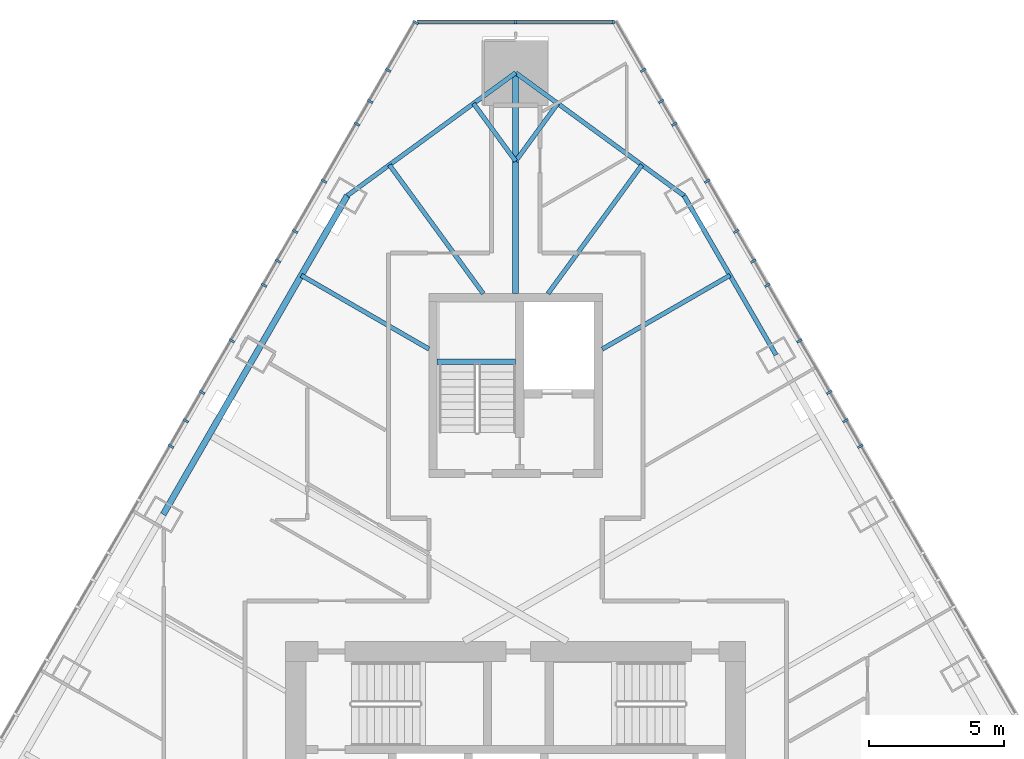
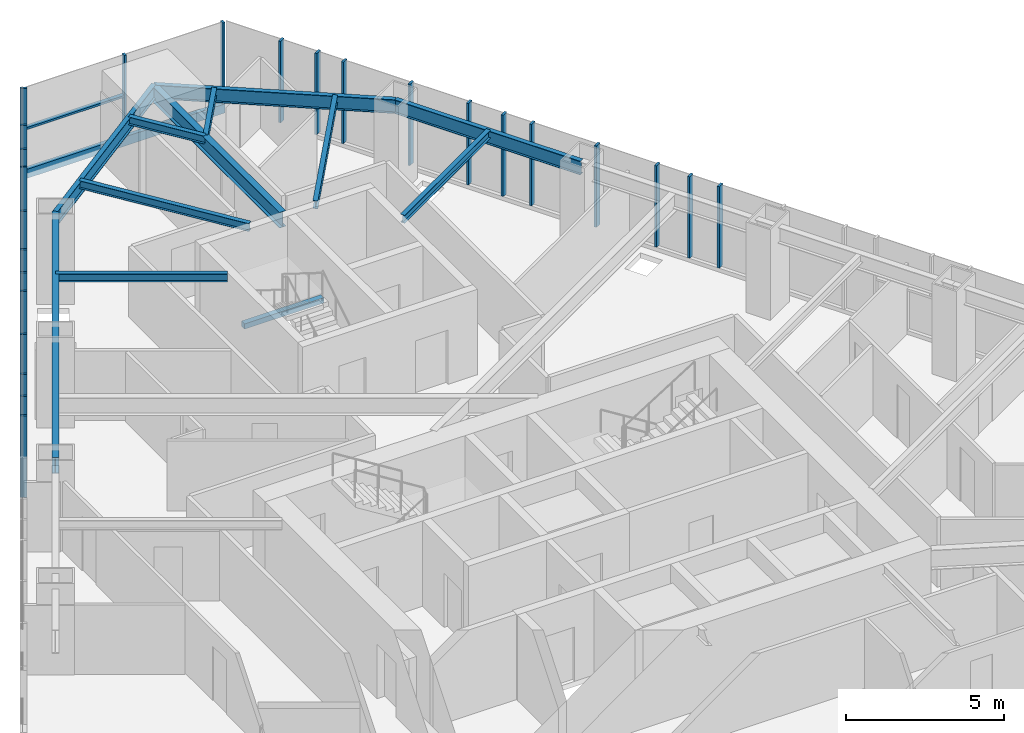
# One storey, part 9 of 19: 27 members, 12 beams, 3 elements without a shape of their own.
"""IFC4 building model written with IfcOpenShell, lengths in metres."""

from ifc_helpers import new_model, si_unit, direction, frame, origin, origin_2d, place, context, subcontext, project, spatial, rectangle, i_section, extrude, material, layer, layer_set, material_profile, profile_set, type_object, element, aggregate, save


model = new_model("IFC4")

# Units and contexts
model_context = context("Model", 3, precision=1e-05, world=origin(), true_north=direction((0.0, 1.0)))
body_context = subcontext(model_context, "Body", "Model", "MODEL_VIEW")
ifc_project = project(units=[si_unit("LENGTHUNIT", "METRE"), si_unit("AREAUNIT", "SQUARE_METRE"), si_unit("VOLUMEUNIT", "CUBIC_METRE"), si_unit("PLANEANGLEUNIT", "RADIAN"), si_unit("MASSUNIT", "GRAM", prefix="KILO")], contexts=[model_context])

# Site, building, storey
site_placement = place(None, origin())
site = spatial("IfcSite", under=ifc_project, at=site_placement, CompositionType="ELEMENT")
building_placement = place(site_placement, origin())
building = spatial("IfcBuilding", under=site, at=building_placement, Name="Firuza Gate Tower and Library", CompositionType="ELEMENT")
storey_placement = place(building_placement, frame((0.0, 0.0, 256.60009765625)))
storey = spatial("IfcBuildingStorey", under=building, at=storey_placement, Name="L60", CompositionType="ELEMENT", Elevation=256.60009765625)

# Curtain wall, members
ifc_material_1 = material(Name="Aluminium 6063-T6", Category="aluminium")
ifc_layer_1 = layer(ifc_material_1, 0.14990234375)
ifc_layer_set_1 = layer_set([ifc_layer_1], Name="Corner curtain wall, chamfers")
curtain_wall_type_1 = type_object("IfcCurtainWallType", Name="Corner curtain wall, chamfers", PredefinedType="NOTDEFINED", material=ifc_layer_set_1)
placement = place(storey_placement, origin())
curtain_wall_1 = element("IfcCurtainWall", 1, at=placement, inside=storey, type_object=curtain_wall_type_1, Name="CW4 L60 N corner", PredefinedType="NOTDEFINED")
ifc_material_2 = material(Name="Aluminium 6063-T6", Category="aluminium")
ifc_material_profile_1 = material_profile(ifc_material_2, rectangle(XDim=0.14990234375, YDim=0.080078125, at=origin_2d()))
ifc_profile_set_1 = profile_set([ifc_material_profile_1], Name="Aluminium 6063-T6")
member_type_1 = type_object("IfcMemberType", Name="Curtain wall mullion 80x150", PredefinedType="MULLION", material=ifc_profile_set_1)
member_1_placement = place(storey_placement, frame((78.603271484375, 104.63525390625, 0.14990234375), z_axis=(0.0, 0.0, 1.0), x_axis=(0.0, -1.0, 0.0)))
member_1 = element("IfcMember", 2, at=member_1_placement, type_object=member_type_1, Name="Mullion", PredefinedType="MULLION", context=body_context, shape_type="SweptSolid", body=[
    extrude(rectangle(XDim=0.14990234375, YDim=0.080078125, at=origin_2d()), origin(), (0.0, 0.0, 1.0), 3.14990234375),
])
member_2_placement = place(storey_placement, frame((75.0, 104.63525390625, 0.14990234375), z_axis=(0.0, 0.0, 1.0), x_axis=(0.0, -1.0, 0.0)))
member_2 = element("IfcMember", 3, at=member_2_placement, type_object=member_type_1, Name="Mullion", PredefinedType="MULLION", context=body_context, shape_type="SweptSolid", body=[
    extrude(rectangle(XDim=0.14990234375, YDim=0.080078125, at=origin_2d()), origin(), (0.0, 0.0, 1.0), 3.14990234375),
])

ifc_material_3 = material(Name="Aluminium 6063-T6", Category="aluminium")
ifc_layer_2 = layer(ifc_material_3, 0.14990234375)
ifc_layer_set_2 = layer_set([ifc_layer_2], Name="Unitised curtain wall, residences")
curtain_wall_type_2 = type_object("IfcCurtainWallType", Name="Unitised curtain wall, residences", PredefinedType="NOTDEFINED", material=ifc_layer_set_2)
curtain_wall_2 = element("IfcCurtainWall", 4, at=placement, inside=storey, type_object=curtain_wall_type_2, Name="CW3 L60 E face", PredefinedType="NOTDEFINED")
ifc_material_4 = material(Name="Aluminium 6063-T6", Category="aluminium")
ifc_material_profile_2 = material_profile(ifc_material_4, rectangle(XDim=0.219970703125, YDim=0.080078125, at=origin_2d()))
ifc_profile_set_2 = profile_set([ifc_material_profile_2], Name="Aluminium 6063-T6")
member_type_2 = type_object("IfcMemberType", Name="Curtain wall mullion 80x220", PredefinedType="MULLION", material=ifc_profile_set_2)
member_3_placement = place(storey_placement, frame((87.18896484375, 89.903564453125, 0.14990234375), z_axis=(0.0, 0.0, 1.0), x_axis=(-0.866025403784, -0.5, 0.0)))
member_3 = element("IfcMember", 5, at=member_3_placement, type_object=member_type_2, Name="Mullion", PredefinedType="MULLION", context=body_context, shape_type="SweptSolid", body=[
    extrude(rectangle(XDim=0.219970703125, YDim=0.080078125, at=origin_2d()), origin(), (0.0, 0.0, 1.0), 3.14990234375),
])
member_4_placement = place(storey_placement, frame((85.486083984375, 92.853515625, 0.14990234375), z_axis=(0.0, 0.0, 1.0), x_axis=(-0.866025403784, -0.5, 0.0)))
member_4 = element("IfcMember", 6, at=member_4_placement, type_object=member_type_2, Name="Mullion", PredefinedType="MULLION", context=body_context, shape_type="SweptSolid", body=[
    extrude(rectangle(XDim=0.219970703125, YDim=0.080078125, at=origin_2d()), origin(), (0.0, 0.0, 1.0), 3.14990234375),
])
member_5_placement = place(storey_placement, frame((83.782958984375, 95.80322265625, 0.14990234375), z_axis=(0.0, 0.0, 1.0), x_axis=(-0.866025403784, -0.5, 0.0)))
member_5 = element("IfcMember", 7, at=member_5_placement, type_object=member_type_2, Name="Mullion", PredefinedType="MULLION", context=body_context, shape_type="SweptSolid", body=[
    extrude(rectangle(XDim=0.219970703125, YDim=0.080078125, at=origin_2d()), origin(), (0.0, 0.0, 1.0), 3.14990234375),
])
member_6_placement = place(storey_placement, frame((82.079833984375, 98.753173828125, 0.14990234375), z_axis=(0.0, 0.0, 1.0), x_axis=(-0.866025403784, -0.5, 0.0)))
member_6 = element("IfcMember", 8, at=member_6_placement, type_object=member_type_2, Name="Mullion", PredefinedType="MULLION", context=body_context, shape_type="SweptSolid", body=[
    extrude(rectangle(XDim=0.219970703125, YDim=0.080078125, at=origin_2d()), origin(), (0.0, 0.0, 1.0), 3.14990234375),
])
member_7_placement = place(storey_placement, frame((80.376708984375, 101.702880859375, 0.14990234375), z_axis=(0.0, 0.0, 1.0), x_axis=(-0.866025403784, -0.5, 0.0)))
member_7 = element("IfcMember", 9, at=member_7_placement, type_object=member_type_2, Name="Mullion", PredefinedType="MULLION", context=body_context, shape_type="SweptSolid", body=[
    extrude(rectangle(XDim=0.219970703125, YDim=0.080078125, at=origin_2d()), origin(), (0.0, 0.0, 1.0), 3.14990234375),
])
member_8_placement = place(storey_placement, frame((87.734375, 88.958984375, 0.14990234375), z_axis=(0.0, 0.0, 1.0), x_axis=(-0.866025403784, -0.5, 0.0)))
member_8 = element("IfcMember", 10, at=member_8_placement, type_object=member_type_2, Name="Mullion", PredefinedType="MULLION", context=body_context, shape_type="SweptSolid", body=[
    extrude(rectangle(XDim=0.219970703125, YDim=0.080078125, at=origin_2d()), origin(), (0.0, 0.0, 1.0), 3.14990234375),
])
member_9_placement = place(storey_placement, frame((86.584716796875, 90.950439453125, 0.14990234375), z_axis=(0.0, 0.0, 1.0), x_axis=(-0.866025403784, -0.5, 0.0)))
member_9 = element("IfcMember", 11, at=member_9_placement, type_object=member_type_2, Name="Mullion", PredefinedType="MULLION", context=body_context, shape_type="SweptSolid", body=[
    extrude(rectangle(XDim=0.219970703125, YDim=0.080078125, at=origin_2d()), origin(), (0.0, 0.0, 1.0), 3.14990234375),
])
member_10_placement = place(storey_placement, frame((84.298828125, 94.909912109375, 0.14990234375), z_axis=(0.0, 0.0, 1.0), x_axis=(-0.866025403784, -0.5, 0.0)))
member_10 = element("IfcMember", 12, at=member_10_placement, type_object=member_type_2, Name="Mullion", PredefinedType="MULLION", context=body_context, shape_type="SweptSolid", body=[
    extrude(rectangle(XDim=0.219970703125, YDim=0.080078125, at=origin_2d()), origin(), (0.0, 0.0, 1.0), 3.14990234375),
])
member_11_placement = place(storey_placement, frame((83.14892578125, 96.9013671875, 0.14990234375), z_axis=(0.0, 0.0, 1.0), x_axis=(-0.866025403784, -0.5, 0.0)))
member_11 = element("IfcMember", 13, at=member_11_placement, type_object=member_type_2, Name="Mullion", PredefinedType="MULLION", context=body_context, shape_type="SweptSolid", body=[
    extrude(rectangle(XDim=0.219970703125, YDim=0.080078125, at=origin_2d()), origin(), (0.0, 0.0, 1.0), 3.14990234375),
])
member_12_placement = place(storey_placement, frame((80.863037109375, 100.860595703125, 0.14990234375), z_axis=(0.0, 0.0, 1.0), x_axis=(-0.866025403784, -0.5, 0.0)))
member_12 = element("IfcMember", 14, at=member_12_placement, type_object=member_type_2, Name="Mullion", PredefinedType="MULLION", context=body_context, shape_type="SweptSolid", body=[
    extrude(rectangle(XDim=0.219970703125, YDim=0.080078125, at=origin_2d()), origin(), (0.0, 0.0, 1.0), 3.14990234375),
])
member_13_placement = place(storey_placement, frame((79.713134765625, 102.85205078125, 0.14990234375), z_axis=(0.0, 0.0, 1.0), x_axis=(-0.866025403784, -0.5, 0.0)))
member_13 = element("IfcMember", 15, at=member_13_placement, type_object=member_type_2, Name="Mullion", PredefinedType="MULLION", context=body_context, shape_type="SweptSolid", body=[
    extrude(rectangle(XDim=0.219970703125, YDim=0.080078125, at=origin_2d()), origin(), (0.0, 0.0, 1.0), 3.14990234375),
])
aggregate(curtain_wall_2, [member_3, member_4, member_5, member_6, member_7, member_8, member_9, member_10, member_11, member_12, member_13])

curtain_wall_3 = element("IfcCurtainWall", 16, at=placement, inside=storey, type_object=curtain_wall_type_2, Name="CW3 L60 W face", PredefinedType="NOTDEFINED")
member_14_placement = place(storey_placement, frame((71.306396484375, 104.6181640625, 0.14990234375), z_axis=(0.0, 0.0, 1.0), x_axis=(0.866025403784, -0.5, 0.0)))
member_14 = element("IfcMember", 17, at=member_14_placement, type_object=member_type_2, Name="Mullion", PredefinedType="MULLION", context=body_context, shape_type="SweptSolid", body=[
    extrude(rectangle(XDim=0.219970703125, YDim=0.080078125, at=origin_2d()), origin(), (0.0, 0.0, 1.0), 3.14990234375),
])
member_15_placement = place(storey_placement, frame((69.623291015625, 101.702880859375, 0.14990234375), z_axis=(0.0, 0.0, 1.0), x_axis=(0.866025403784, -0.5, 0.0)))
member_15 = element("IfcMember", 18, at=member_15_placement, type_object=member_type_2, Name="Mullion", PredefinedType="MULLION", context=body_context, shape_type="SweptSolid", body=[
    extrude(rectangle(XDim=0.219970703125, YDim=0.080078125, at=origin_2d()), origin(), (0.0, 0.0, 1.0), 3.14990234375),
])
member_16_placement = place(storey_placement, frame((67.920166015625, 98.753173828125, 0.14990234375), z_axis=(0.0, 0.0, 1.0), x_axis=(0.866025403784, -0.5, 0.0)))
member_16 = element("IfcMember", 19, at=member_16_placement, type_object=member_type_2, Name="Mullion", PredefinedType="MULLION", context=body_context, shape_type="SweptSolid", body=[
    extrude(rectangle(XDim=0.219970703125, YDim=0.080078125, at=origin_2d()), origin(), (0.0, 0.0, 1.0), 3.14990234375),
])
member_17_placement = place(storey_placement, frame((66.217041015625, 95.80322265625, 0.14990234375), z_axis=(0.0, 0.0, 1.0), x_axis=(0.866025403784, -0.5, 0.0)))
member_17 = element("IfcMember", 20, at=member_17_placement, type_object=member_type_2, Name="Mullion", PredefinedType="MULLION", context=body_context, shape_type="SweptSolid", body=[
    extrude(rectangle(XDim=0.219970703125, YDim=0.080078125, at=origin_2d()), origin(), (0.0, 0.0, 1.0), 3.14990234375),
])
member_18_placement = place(storey_placement, frame((64.513916015625, 92.853515625, 0.14990234375), z_axis=(0.0, 0.0, 1.0), x_axis=(0.866025403784, -0.5, 0.0)))
member_18 = element("IfcMember", 21, at=member_18_placement, type_object=member_type_2, Name="Mullion", PredefinedType="MULLION", context=body_context, shape_type="SweptSolid", body=[
    extrude(rectangle(XDim=0.219970703125, YDim=0.080078125, at=origin_2d()), origin(), (0.0, 0.0, 1.0), 3.14990234375),
])
member_19_placement = place(storey_placement, frame((62.81103515625, 89.903564453125, 0.14990234375), z_axis=(0.0, 0.0, 1.0), x_axis=(0.866025403784, -0.5, 0.0)))
member_19 = element("IfcMember", 22, at=member_19_placement, type_object=member_type_2, Name="Mullion", PredefinedType="MULLION", context=body_context, shape_type="SweptSolid", body=[
    extrude(rectangle(XDim=0.219970703125, YDim=0.080078125, at=origin_2d()), origin(), (0.0, 0.0, 1.0), 3.14990234375),
])
member_20_placement = place(storey_placement, frame((70.286865234375, 102.85205078125, 0.14990234375), z_axis=(0.0, 0.0, 1.0), x_axis=(0.866025403784, -0.5, 0.0)))
member_20 = element("IfcMember", 23, at=member_20_placement, type_object=member_type_2, Name="Mullion", PredefinedType="MULLION", context=body_context, shape_type="SweptSolid", body=[
    extrude(rectangle(XDim=0.219970703125, YDim=0.080078125, at=origin_2d()), origin(), (0.0, 0.0, 1.0), 3.14990234375),
])
member_21_placement = place(storey_placement, frame((69.136962890625, 100.860595703125, 0.14990234375), z_axis=(0.0, 0.0, 1.0), x_axis=(0.866025403784, -0.5, 0.0)))
member_21 = element("IfcMember", 24, at=member_21_placement, type_object=member_type_2, Name="Mullion", PredefinedType="MULLION", context=body_context, shape_type="SweptSolid", body=[
    extrude(rectangle(XDim=0.219970703125, YDim=0.080078125, at=origin_2d()), origin(), (0.0, 0.0, 1.0), 3.14990234375),
])
member_22_placement = place(storey_placement, frame((66.85107421875, 96.9013671875, 0.14990234375), z_axis=(0.0, 0.0, 1.0), x_axis=(0.866025403784, -0.5, 0.0)))
member_22 = element("IfcMember", 25, at=member_22_placement, type_object=member_type_2, Name="Mullion", PredefinedType="MULLION", context=body_context, shape_type="SweptSolid", body=[
    extrude(rectangle(XDim=0.219970703125, YDim=0.080078125, at=origin_2d()), origin(), (0.0, 0.0, 1.0), 3.14990234375),
])
member_23_placement = place(storey_placement, frame((65.701171875, 94.909912109375, 0.14990234375), z_axis=(0.0, 0.0, 1.0), x_axis=(0.866025403784, -0.5, 0.0)))
member_23 = element("IfcMember", 26, at=member_23_placement, type_object=member_type_2, Name="Mullion", PredefinedType="MULLION", context=body_context, shape_type="SweptSolid", body=[
    extrude(rectangle(XDim=0.219970703125, YDim=0.080078125, at=origin_2d()), origin(), (0.0, 0.0, 1.0), 3.14990234375),
])
member_24_placement = place(storey_placement, frame((63.415283203125, 90.950439453125, 0.14990234375), z_axis=(0.0, 0.0, 1.0), x_axis=(0.866025403784, -0.5, 0.0)))
member_24 = element("IfcMember", 27, at=member_24_placement, type_object=member_type_2, Name="Mullion", PredefinedType="MULLION", context=body_context, shape_type="SweptSolid", body=[
    extrude(rectangle(XDim=0.219970703125, YDim=0.080078125, at=origin_2d()), origin(), (0.0, 0.0, 1.0), 3.14990234375),
])
member_25_placement = place(storey_placement, frame((62.265625, 88.958984375, 0.14990234375), z_axis=(0.0, 0.0, 1.0), x_axis=(0.866025403784, -0.5, 0.0)))
member_25 = element("IfcMember", 28, at=member_25_placement, type_object=member_type_2, Name="Mullion", PredefinedType="MULLION", context=body_context, shape_type="SweptSolid", body=[
    extrude(rectangle(XDim=0.219970703125, YDim=0.080078125, at=origin_2d()), origin(), (0.0, 0.0, 1.0), 3.14990234375),
])
aggregate(curtain_wall_3, [member_14, member_15, member_16, member_17, member_18, member_19, member_20, member_21, member_22, member_23, member_24, member_25])

# Member
ifc_material_5 = material(Name="Aluminium 6063-T6", Category="aluminium")
ifc_material_profile_3 = material_profile(ifc_material_5, rectangle(XDim=0.14990234375, YDim=0.35009765625, at=origin_2d()))
ifc_profile_set_3 = profile_set([ifc_material_profile_3], Name="Aluminium 6063-T6")
member_type_3 = type_object("IfcMemberType", Name="Curtain wall transom 350x150", PredefinedType="USERDEFINED", material=ifc_profile_set_3)
member_26_placement = place(storey_placement, frame((78.643310546875, 104.63525390625, -0.025146484375), z_axis=(-1.0, 0.0, 0.0), x_axis=(0.0, -1.0, 0.0)))
member_26 = element("IfcMember", 29, at=member_26_placement, type_object=member_type_3, Name="Transom", ObjectType="TRANSOM", PredefinedType="USERDEFINED", context=body_context, shape_type="SweptSolid", body=[
    extrude(rectangle(XDim=0.14990234375, YDim=0.35009765625, at=origin_2d()), origin(), (0.0, 0.0, 1.0), 7.28662109375),
])

ifc_material_6 = material(Name="Aluminium 6063-T6", Category="aluminium")
ifc_material_profile_4 = material_profile(ifc_material_6, rectangle(XDim=0.14990234375, YDim=0.080078125, at=origin_2d()))
ifc_profile_set_4 = profile_set([ifc_material_profile_4], Name="Aluminium 6063-T6")
member_type_4 = type_object("IfcMemberType", Name="Curtain wall transom 80x150", PredefinedType="USERDEFINED", material=ifc_profile_set_4)
member_27_placement = place(storey_placement, frame((74.9599609375, 104.63525390625, 1.724853515625), z_axis=(-1.0, 0.0, 0.0), x_axis=(0.0, -1.0, 0.0)))
member_27 = element("IfcMember", 30, at=member_27_placement, type_object=member_type_4, Name="Transom", ObjectType="TRANSOM", PredefinedType="USERDEFINED", context=body_context, shape_type="SweptSolid", body=[
    extrude(rectangle(XDim=0.14990234375, YDim=0.080078125, at=origin_2d()), origin(), (0.0, 0.0, 1.0), 3.563232421875),
])

aggregate(curtain_wall_1, [member_1, member_2, member_26, member_27])

# Beams
ifc_material_7 = material(Name="Concrete C35/45", Category="concrete")
ifc_material_profile_5 = material_profile(ifc_material_7, rectangle(XDim=0.199951171875, YDim=0.199951171875, at=origin_2d()))
ifc_profile_set_5 = profile_set([ifc_material_profile_5], Name="Concrete C35/45")
beam_type_1 = type_object("IfcBeamType", Name="Stair landing bearer 200x200", PredefinedType="BEAM", material=ifc_profile_set_5)
beam_1_placement = place(storey_placement, frame((75.0, 92.090087890625, 1.449951171875), z_axis=(-1.0, 0.0, 0.0), x_axis=(0.0, -1.0, 0.0)))
element("IfcBeam", 31, at=beam_1_placement, inside=storey, type_object=beam_type_1, Name="Landing bearer L60 stair 3", PredefinedType="BEAM", context=body_context, shape_type="SweptSolid", body=[
    extrude(rectangle(XDim=0.199951171875, YDim=0.199951171875, at=origin_2d()), origin(), (0.0, 0.0, 1.0), 2.89990234375),
])
ifc_material_8 = material(Name="Steel S355", Category="steel")
ifc_material_profile_6 = material_profile(ifc_material_8, i_section(OverallWidth=0.1650390625, OverallDepth=0.31005859375, WebThickness=0.005859375, FlangeThickness=0.009765625, at=origin_2d()))
ifc_profile_set_6 = profile_set([ifc_material_profile_6], Name="Steel S355")
beam_type_2 = type_object("IfcBeamType", Name="W310x39 Floor beam", PredefinedType="JOIST", material=ifc_profile_set_6)
beam_2_placement = place(storey_placement, frame((82.920654296875, 95.27685546875, 3.14501953125), z_axis=(-0.866037908964, -0.499978339768, 0.0), x_axis=(0.499978339768, -0.866037908964, 0.0)))
element("IfcBeam", 32, at=beam_2_placement, inside=storey, type_object=beam_type_2, Name="Floor beam L60 s54", PredefinedType="JOIST", context=body_context, shape_type="SweptSolid", body=[
    extrude(i_section(OverallWidth=0.1650390625, OverallDepth=0.31005859375, WebThickness=0.005859375, FlangeThickness=0.009765625, at=origin_2d()), origin(), (0.0, 0.0, 1.0), 5.450927734375),
])
beam_3_placement = place(storey_placement, frame((79.66552734375, 99.356201171875, 3.14501953125), z_axis=(-0.589445668342, -0.807808024268, 0.0), x_axis=(0.807808024268, -0.589445668342, 0.0)))
element("IfcBeam", 33, at=beam_3_placement, inside=storey, type_object=beam_type_2, Name="Floor beam L60 s60", PredefinedType="JOIST", context=body_context, shape_type="SweptSolid", body=[
    extrude(i_section(OverallWidth=0.1650390625, OverallDepth=0.31005859375, WebThickness=0.005859375, FlangeThickness=0.009765625, at=origin_2d()), origin(), (0.0, 0.0, 1.0), 5.8876953125),
])
for number, where, z_axis, x_axis, name in (
    (34, (76.55517578125, 101.62548828125, 3.14501953125), (-0.589480494161, -0.807782611229, 0.0), (0.807782611229, -0.589480494161, 0.0), "Floor beam L60 s61"),
    (35, (73.44482421875, 101.62548828125, 3.14501953125), (0.589480494161, -0.807782611229, 0.0), (0.807782611229, 0.589480494161, 0.0), "Floor beam L60 s70"),
):
    element("IfcBeam", number, at=place(storey_placement, frame(where, z_axis=z_axis, x_axis=x_axis)), inside=storey, type_object=beam_type_2, Name=name, PredefinedType="JOIST", context=body_context, shape_type="SweptSolid", body=[
        extrude(i_section(OverallWidth=0.1650390625, OverallDepth=0.31005859375, WebThickness=0.005859375, FlangeThickness=0.009765625, at=origin_2d()), origin(), (0.0, 0.0, 1.0), 2.63818359375),
    ])
beam_4_placement = place(storey_placement, frame((70.33447265625, 99.356201171875, 3.14501953125), z_axis=(0.589445668342, -0.807808024268, 0.0), x_axis=(0.807808024268, 0.589445668342, 0.0)))
element("IfcBeam", 36, at=beam_4_placement, inside=storey, type_object=beam_type_2, Name="Floor beam L60 s71", PredefinedType="JOIST", context=body_context, shape_type="SweptSolid", body=[
    extrude(i_section(OverallWidth=0.1650390625, OverallDepth=0.31005859375, WebThickness=0.005859375, FlangeThickness=0.009765625, at=origin_2d()), origin(), (0.0, 0.0, 1.0), 5.8876953125),
])
beam_5_placement = place(storey_placement, frame((67.079345703125, 95.27685546875, 3.14501953125), z_axis=(0.866037908964, -0.499978339768, 0.0), x_axis=(0.499978339768, 0.866037908964, 0.0)))
element("IfcBeam", 37, at=beam_5_placement, inside=storey, type_object=beam_type_2, Name="Floor beam L60 s80", PredefinedType="JOIST", context=body_context, shape_type="SweptSolid", body=[
    extrude(i_section(OverallWidth=0.1650390625, OverallDepth=0.31005859375, WebThickness=0.005859375, FlangeThickness=0.009765625, at=origin_2d()), origin(), (0.0, 0.0, 1.0), 5.450927734375),
])
ifc_material_9 = material(Name="Steel S355", Category="steel")
ifc_material_profile_7 = material_profile(ifc_material_9, i_section(OverallWidth=0.166015625, OverallDepth=0.534912109375, WebThickness=0.01025390625, FlangeThickness=0.0166015625, at=origin_2d()))
ifc_profile_set_7 = profile_set([ifc_material_profile_7], Name="Steel S355")
beam_type_3 = type_object("IfcBeamType", Name="W530x85 Edge beam", PredefinedType="SPANDREL", material=ifc_profile_set_7)
beam_6_placement = place(storey_placement, frame((84.62060546875, 92.332275390625, 3.032470703125), z_axis=(-0.500004222222, 0.866022966069, 0.0), x_axis=(-0.866022966069, -0.500004222222, 0.0)))
element("IfcBeam", 38, at=beam_6_placement, inside=storey, type_object=beam_type_3, Name="Edge beam L60 e54", PredefinedType="SPANDREL", context=body_context, shape_type="SweptSolid", body=[
    extrude(i_section(OverallWidth=0.166015625, OverallDepth=0.534912109375, WebThickness=0.01025390625, FlangeThickness=0.0166015625, at=origin_2d()), origin(), (0.0, 0.0, 1.0), 6.80029296875),
])
for number, where, z_axis, x_axis, name in (
    (39, (81.220458984375, 98.221435546875, 3.032470703125), (-0.807817876827, 0.58943216563, 0.0), (-0.58943216563, -0.807817876827, 0.0), "Edge beam L60 e60"),
    (40, (75.0, 102.76025390625, 3.032470703125), (-0.807817876827, -0.58943216563, 0.0), (0.58943216563, -0.807817876827, 0.0), "Edge beam L60 e70"),
):
    element("IfcBeam", number, at=place(storey_placement, frame(where, z_axis=z_axis, x_axis=x_axis)), inside=storey, type_object=beam_type_3, Name=name, PredefinedType="SPANDREL", context=body_context, shape_type="SweptSolid", body=[
        extrude(i_section(OverallWidth=0.166015625, OverallDepth=0.534912109375, WebThickness=0.01025390625, FlangeThickness=0.0166015625, at=origin_2d()), origin(), (0.0, 0.0, 1.0), 7.700439453125),
    ])
ifc_material_10 = material(Name="Steel S355", Category="steel")
ifc_material_profile_8 = material_profile(ifc_material_10, i_section(OverallWidth=0.22802734375, OverallDepth=0.60302734375, WebThickness=0.010498046875, FlangeThickness=0.014892578125, at=origin_2d()))
ifc_profile_set_8 = profile_set([ifc_material_profile_8], Name="Steel S355")
beam_type_4 = type_object("IfcBeamType", Name="W610x101 Girder", PredefinedType="BEAM", material=ifc_profile_set_8)
beam_7_placement = place(storey_placement, frame((75.0, 102.76025390625, 2.998291015625), z_axis=(0.0, -1.0, 0.0), x_axis=(1.0, 0.0, 0.0)))
element("IfcBeam", 41, at=beam_7_placement, inside=storey, type_object=beam_type_4, Name="Girder L60 gN", PredefinedType="BEAM", context=body_context, shape_type="SweptSolid", body=[
    extrude(i_section(OverallWidth=0.22802734375, OverallDepth=0.60302734375, WebThickness=0.010498046875, FlangeThickness=0.014892578125, at=origin_2d()), origin(), (0.0, 0.0, 1.0), 8.16015625),
])
ifc_material_11 = material(Name="Steel S355", Category="steel")
ifc_material_profile_9 = material_profile(ifc_material_11, i_section(OverallWidth=0.22900390625, OverallDepth=0.612060546875, WebThickness=0.011962890625, FlangeThickness=0.01953125, at=origin_2d()))
ifc_profile_set_9 = profile_set([ifc_material_profile_9], Name="Steel S355")
beam_type_5 = type_object("IfcBeamType", Name="W610x125 Edge beam", PredefinedType="SPANDREL", material=ifc_profile_set_9)
beam_8_placement = place(storey_placement, frame((68.779541015625, 98.221435546875, 2.993896484375), z_axis=(-0.499998531986, -0.866026251341, 0.0), x_axis=(0.866026251341, -0.499998531986, 0.0)))
element("IfcBeam", 42, at=beam_8_placement, inside=storey, type_object=beam_type_5, Name="Edge beam L60 e80", PredefinedType="SPANDREL", context=body_context, shape_type="SweptSolid", body=[
    extrude(i_section(OverallWidth=0.22900390625, OverallDepth=0.612060546875, WebThickness=0.011962890625, FlangeThickness=0.01953125, at=origin_2d()), origin(), (0.0, 0.0, 1.0), 13.60009765625),
])

save(model, "model.ifc")
